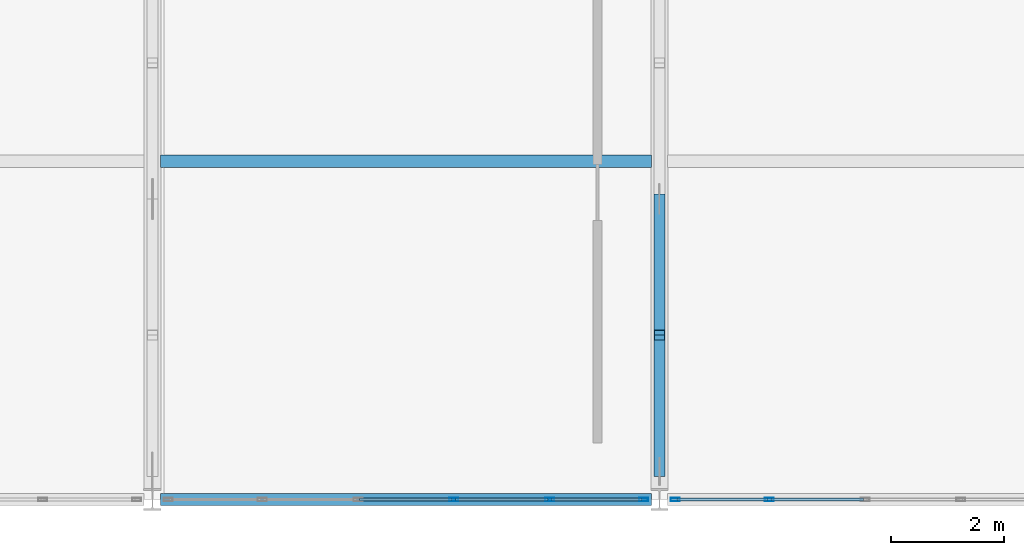
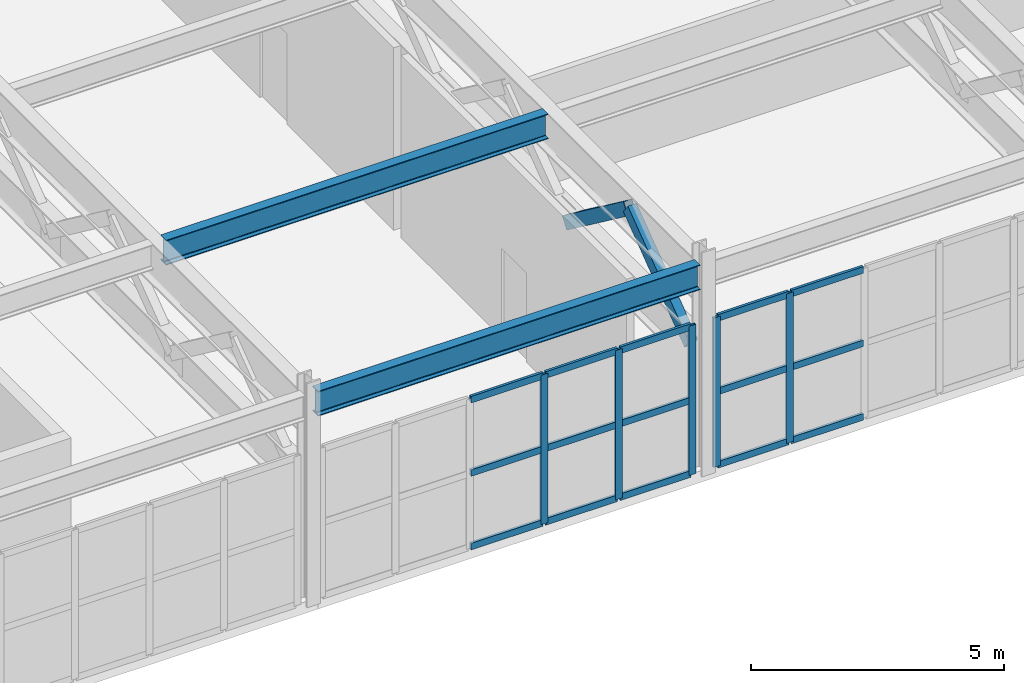
# One storey, part 36 of 210: 22 members, 2 beams, 2 elements without a shape of their own.
"""IFC4 building model written with IfcOpenShell, lengths in metres."""

from ifc_helpers import new_model, si_unit, direction, frame, origin, origin_2d, place, context, subcontext, project, spatial, hollow_rectangle, i_section, extrude, material, material_profile, profile_set, type_object, element, aggregate, save


model = new_model("IFC4")

# Units and contexts
model_context = context("Model", 3, precision=1e-05, world=origin(), true_north=direction((0.0, 1.0)))
body_context = subcontext(model_context, "Body", "Model", "MODEL_VIEW")
ifc_project = project(units=[si_unit("LENGTHUNIT", "METRE"), si_unit("AREAUNIT", "SQUARE_METRE"), si_unit("VOLUMEUNIT", "CUBIC_METRE"), si_unit("PLANEANGLEUNIT", "RADIAN"), si_unit("MASSUNIT", "GRAM", prefix="KILO")], contexts=[model_context])

# Site, building, storey
site_placement = place(None, origin())
site = spatial("IfcSite", under=ifc_project, at=site_placement, CompositionType="ELEMENT")
building_placement = place(site_placement, origin())
building = spatial("IfcBuilding", under=site, at=building_placement, Name="Kaldris Quays Convention Centre", CompositionType="ELEMENT")
storey_placement = place(building_placement, frame((0.0, 0.0, 6.0)))
storey = spatial("IfcBuildingStorey", under=building, at=storey_placement, Name="L01", CompositionType="ELEMENT", Elevation=6.0)

# Curtain wall, members
ifc_material_1 = material(Name="Anodized aluminium AW-6060 and triple glazing", Category="aluminium")
curtain_wall_type = type_object("IfcCurtainWallType", Name="UNITISED CURTAIN WALL CW05", PredefinedType="NOTDEFINED", material=ifc_material_1)
curtain_wall_1_placement = place(storey_placement, origin())
curtain_wall_1 = element("IfcCurtainWall", 1, at=curtain_wall_1_placement, inside=storey, type_object=curtain_wall_type, Name="L01 Unitised Curtain Wall CW05 65", PredefinedType="NOTDEFINED")
ifc_material_2 = material(Name="Anodized aluminium AW-6060", Category="aluminium")
ifc_material_profile_1 = material_profile(ifc_material_2, hollow_rectangle(XDim=0.06005859375, YDim=0.159912109375, WallThickness=0.00390625, at=origin_2d()), Name="RHS 160x60x4")
ifc_profile_set_1 = profile_set([ifc_material_profile_1], Name="Anodized aluminium AW-6060")
member_type_1 = type_object("IfcMemberType", Name="CURTAIN MULLION CWM1", PredefinedType="MULLION", material=ifc_profile_set_1)
member_1_placement = place(storey_placement, frame((52.35009765625, 16.0, 0.0), z_axis=(0.0, 0.0, 1.0), x_axis=(0.0, 1.0, 0.0)))
member_1 = element("IfcMember", 2, at=member_1_placement, type_object=member_type_1, Name="CW05 mullion 4", PredefinedType="MULLION", context=body_context, shape_type="SweptSolid", body=[
    extrude(hollow_rectangle(XDim=0.06005859375, YDim=0.159912109375, WallThickness=0.00390625, at=origin_2d()), origin(), (0.0, 0.0, 1.0), 3.60009765625),
])
member_2_placement = place(storey_placement, frame((54.050048828125, 16.0, 0.0), z_axis=(0.0, 0.0, 1.0), x_axis=(0.0, 1.0, 0.0)))
member_2 = element("IfcMember", 3, at=member_2_placement, type_object=member_type_1, Name="CW05 mullion 5", PredefinedType="MULLION", context=body_context, shape_type="SweptSolid", body=[
    extrude(hollow_rectangle(XDim=0.06005859375, YDim=0.159912109375, WallThickness=0.00390625, at=origin_2d()), origin(), (0.0, 0.0, 1.0), 3.60009765625),
])
member_3_placement = place(storey_placement, frame((55.719970703125, 16.0, 0.0), z_axis=(0.0, 0.0, 1.0), x_axis=(0.0, 1.0, 0.0)))
member_3 = element("IfcMember", 4, at=member_3_placement, type_object=member_type_1, Name="CW05 mullion 6", PredefinedType="MULLION", context=body_context, shape_type="SweptSolid", body=[
    extrude(hollow_rectangle(XDim=0.06005859375, YDim=0.159912109375, WallThickness=0.00390625, at=origin_2d()), origin(), (0.0, 0.0, 1.0), 3.60009765625),
])

curtain_wall_2_placement = place(storey_placement, origin())
curtain_wall_2 = element("IfcCurtainWall", 5, at=curtain_wall_2_placement, inside=storey, type_object=curtain_wall_type, Name="L01 Unitised Curtain Wall CW05 67", PredefinedType="NOTDEFINED")
member_4_placement = place(storey_placement, frame((56.280029296875, 16.0, 0.0), z_axis=(0.0, 0.0, 1.0), x_axis=(0.0, 1.0, 0.0)))
member_4 = element("IfcMember", 6, at=member_4_placement, type_object=member_type_1, Name="CW05 mullion 1", PredefinedType="MULLION", context=body_context, shape_type="SweptSolid", body=[
    extrude(hollow_rectangle(XDim=0.06005859375, YDim=0.159912109375, WallThickness=0.00390625, at=origin_2d()), origin(), (0.0, 0.0, 1.0), 3.60009765625),
])
member_5_placement = place(storey_placement, frame((57.949951171875, 16.0, 0.0), z_axis=(0.0, 0.0, 1.0), x_axis=(0.0, 1.0, 0.0)))
member_5 = element("IfcMember", 7, at=member_5_placement, type_object=member_type_1, Name="CW05 mullion 2", PredefinedType="MULLION", context=body_context, shape_type="SweptSolid", body=[
    extrude(hollow_rectangle(XDim=0.06005859375, YDim=0.159912109375, WallThickness=0.00390625, at=origin_2d()), origin(), (0.0, 0.0, 1.0), 3.60009765625),
])

# Member
ifc_material_profile_2 = material_profile(ifc_material_2, hollow_rectangle(XDim=0.06005859375, YDim=0.159912109375, WallThickness=0.00390625, at=origin_2d()), Name="RHS 160x60x4")
ifc_profile_set_2 = profile_set([ifc_material_profile_2], Name="Anodized aluminium AW-6060")
member_type_2 = type_object("IfcMemberType", Name="CURTAIN TRANSOM CWT2", PredefinedType="USERDEFINED", material=ifc_profile_set_2)
member_6_placement = place(storey_placement, frame((50.679931640625, 16.0, 0.030029296875), z_axis=(1.0, 0.0, 0.0), x_axis=(0.0, 1.0, 0.0)))
member_6 = element("IfcMember", 8, at=member_6_placement, type_object=member_type_2, Name="CW05 transom 3.1", ObjectType="TRANSOM", PredefinedType="USERDEFINED", context=body_context, shape_type="SweptSolid", body=[
    extrude(hollow_rectangle(XDim=0.06005859375, YDim=0.159912109375, WallThickness=0.00390625, at=origin_2d()), origin(), (0.0, 0.0, 1.0), 1.64013671875),
])

member_7_placement = place(storey_placement, frame((50.679931640625, 16.0, 1.800048828125), z_axis=(1.0, 0.0, 0.0), x_axis=(0.0, 1.0, 0.0)))
member_7 = element("IfcMember", 9, at=member_7_placement, type_object=member_type_2, Name="CW05 transom 3.2", ObjectType="TRANSOM", PredefinedType="USERDEFINED", context=body_context, shape_type="SweptSolid", body=[
    extrude(hollow_rectangle(XDim=0.06005859375, YDim=0.159912109375, WallThickness=0.00390625, at=origin_2d()), origin(), (0.0, 0.0, 1.0), 1.64013671875),
])

member_8_placement = place(storey_placement, frame((50.679931640625, 16.0, 3.570068359375), z_axis=(1.0, 0.0, 0.0), x_axis=(0.0, 1.0, 0.0)))
member_8 = element("IfcMember", 10, at=member_8_placement, type_object=member_type_2, Name="CW05 transom 3.3", ObjectType="TRANSOM", PredefinedType="USERDEFINED", context=body_context, shape_type="SweptSolid", body=[
    extrude(hollow_rectangle(XDim=0.06005859375, YDim=0.159912109375, WallThickness=0.00390625, at=origin_2d()), origin(), (0.0, 0.0, 1.0), 1.64013671875),
])

member_9_placement = place(storey_placement, frame((52.3798828125, 16.0, 0.030029296875), z_axis=(1.0, 0.0, 0.0), x_axis=(0.0, 1.0, 0.0)))
member_9 = element("IfcMember", 11, at=member_9_placement, type_object=member_type_2, Name="CW05 transom 4.1", ObjectType="TRANSOM", PredefinedType="USERDEFINED", context=body_context, shape_type="SweptSolid", body=[
    extrude(hollow_rectangle(XDim=0.06005859375, YDim=0.159912109375, WallThickness=0.00390625, at=origin_2d()), origin(), (0.0, 0.0, 1.0), 1.64013671875),
])

member_10_placement = place(storey_placement, frame((52.3798828125, 16.0, 1.800048828125), z_axis=(1.0, 0.0, 0.0), x_axis=(0.0, 1.0, 0.0)))
member_10 = element("IfcMember", 12, at=member_10_placement, type_object=member_type_2, Name="CW05 transom 4.2", ObjectType="TRANSOM", PredefinedType="USERDEFINED", context=body_context, shape_type="SweptSolid", body=[
    extrude(hollow_rectangle(XDim=0.06005859375, YDim=0.159912109375, WallThickness=0.00390625, at=origin_2d()), origin(), (0.0, 0.0, 1.0), 1.64013671875),
])

member_11_placement = place(storey_placement, frame((52.3798828125, 16.0, 3.570068359375), z_axis=(1.0, 0.0, 0.0), x_axis=(0.0, 1.0, 0.0)))
member_11 = element("IfcMember", 13, at=member_11_placement, type_object=member_type_2, Name="CW05 transom 4.3", ObjectType="TRANSOM", PredefinedType="USERDEFINED", context=body_context, shape_type="SweptSolid", body=[
    extrude(hollow_rectangle(XDim=0.06005859375, YDim=0.159912109375, WallThickness=0.00390625, at=origin_2d()), origin(), (0.0, 0.0, 1.0), 1.64013671875),
])

member_12_placement = place(storey_placement, frame((54.080078125, 16.0, 0.030029296875), z_axis=(1.0, 0.0, 0.0), x_axis=(0.0, 1.0, 0.0)))
member_12 = element("IfcMember", 14, at=member_12_placement, type_object=member_type_2, Name="CW05 transom 5.1", ObjectType="TRANSOM", PredefinedType="USERDEFINED", context=body_context, shape_type="SweptSolid", body=[
    extrude(hollow_rectangle(XDim=0.06005859375, YDim=0.159912109375, WallThickness=0.00390625, at=origin_2d()), origin(), (0.0, 0.0, 1.0), 1.60986328125),
])

member_13_placement = place(storey_placement, frame((54.080078125, 16.0, 1.800048828125), z_axis=(1.0, 0.0, 0.0), x_axis=(0.0, 1.0, 0.0)))
member_13 = element("IfcMember", 15, at=member_13_placement, type_object=member_type_2, Name="CW05 transom 5.2", ObjectType="TRANSOM", PredefinedType="USERDEFINED", context=body_context, shape_type="SweptSolid", body=[
    extrude(hollow_rectangle(XDim=0.06005859375, YDim=0.159912109375, WallThickness=0.00390625, at=origin_2d()), origin(), (0.0, 0.0, 1.0), 1.60986328125),
])

member_14_placement = place(storey_placement, frame((54.080078125, 16.0, 3.570068359375), z_axis=(1.0, 0.0, 0.0), x_axis=(0.0, 1.0, 0.0)))
member_14 = element("IfcMember", 16, at=member_14_placement, type_object=member_type_2, Name="CW05 transom 5.3", ObjectType="TRANSOM", PredefinedType="USERDEFINED", context=body_context, shape_type="SweptSolid", body=[
    extrude(hollow_rectangle(XDim=0.06005859375, YDim=0.159912109375, WallThickness=0.00390625, at=origin_2d()), origin(), (0.0, 0.0, 1.0), 1.60986328125),
])

aggregate(curtain_wall_1, [member_1, member_2, member_3, member_6, member_7, member_8, member_9, member_10, member_11, member_12, member_13, member_14])

member_15_placement = place(storey_placement, frame((56.31005859375, 16.0, 0.030029296875), z_axis=(1.0, 0.0, 0.0), x_axis=(0.0, 1.0, 0.0)))
member_15 = element("IfcMember", 17, at=member_15_placement, type_object=member_type_2, Name="CW05 transom 1.1", ObjectType="TRANSOM", PredefinedType="USERDEFINED", context=body_context, shape_type="SweptSolid", body=[
    extrude(hollow_rectangle(XDim=0.06005859375, YDim=0.159912109375, WallThickness=0.00390625, at=origin_2d()), origin(), (0.0, 0.0, 1.0), 1.60986328125),
])

member_16_placement = place(storey_placement, frame((56.31005859375, 16.0, 1.800048828125), z_axis=(1.0, 0.0, 0.0), x_axis=(0.0, 1.0, 0.0)))
member_16 = element("IfcMember", 18, at=member_16_placement, type_object=member_type_2, Name="CW05 transom 1.2", ObjectType="TRANSOM", PredefinedType="USERDEFINED", context=body_context, shape_type="SweptSolid", body=[
    extrude(hollow_rectangle(XDim=0.06005859375, YDim=0.159912109375, WallThickness=0.00390625, at=origin_2d()), origin(), (0.0, 0.0, 1.0), 1.60986328125),
])

member_17_placement = place(storey_placement, frame((56.31005859375, 16.0, 3.570068359375), z_axis=(1.0, 0.0, 0.0), x_axis=(0.0, 1.0, 0.0)))
member_17 = element("IfcMember", 19, at=member_17_placement, type_object=member_type_2, Name="CW05 transom 1.3", ObjectType="TRANSOM", PredefinedType="USERDEFINED", context=body_context, shape_type="SweptSolid", body=[
    extrude(hollow_rectangle(XDim=0.06005859375, YDim=0.159912109375, WallThickness=0.00390625, at=origin_2d()), origin(), (0.0, 0.0, 1.0), 1.60986328125),
])

member_18_placement = place(storey_placement, frame((57.97998046875, 16.0, 0.030029296875), z_axis=(1.0, 0.0, 0.0), x_axis=(0.0, 1.0, 0.0)))
member_18 = element("IfcMember", 20, at=member_18_placement, type_object=member_type_2, Name="CW05 transom 2.1", ObjectType="TRANSOM", PredefinedType="USERDEFINED", context=body_context, shape_type="SweptSolid", body=[
    extrude(hollow_rectangle(XDim=0.06005859375, YDim=0.159912109375, WallThickness=0.00390625, at=origin_2d()), origin(), (0.0, 0.0, 1.0), 1.64013671875),
])

member_19_placement = place(storey_placement, frame((57.97998046875, 16.0, 1.800048828125), z_axis=(1.0, 0.0, 0.0), x_axis=(0.0, 1.0, 0.0)))
member_19 = element("IfcMember", 21, at=member_19_placement, type_object=member_type_2, Name="CW05 transom 2.2", ObjectType="TRANSOM", PredefinedType="USERDEFINED", context=body_context, shape_type="SweptSolid", body=[
    extrude(hollow_rectangle(XDim=0.06005859375, YDim=0.159912109375, WallThickness=0.00390625, at=origin_2d()), origin(), (0.0, 0.0, 1.0), 1.64013671875),
])

member_20_placement = place(storey_placement, frame((57.97998046875, 16.0, 3.570068359375), z_axis=(1.0, 0.0, 0.0), x_axis=(0.0, 1.0, 0.0)))
member_20 = element("IfcMember", 22, at=member_20_placement, type_object=member_type_2, Name="CW05 transom 2.3", ObjectType="TRANSOM", PredefinedType="USERDEFINED", context=body_context, shape_type="SweptSolid", body=[
    extrude(hollow_rectangle(XDim=0.06005859375, YDim=0.159912109375, WallThickness=0.00390625, at=origin_2d()), origin(), (0.0, 0.0, 1.0), 1.64013671875),
])

aggregate(curtain_wall_2, [member_4, member_5, member_15, member_16, member_17, member_18, member_19, member_20])

# Beams
ifc_material_3 = material(Name="Steel S355J2", Category="steel")
ifc_material_profile_3 = material_profile(ifc_material_3, i_section(OverallWidth=0.219970703125, OverallDepth=0.60009765625, WebThickness=0.011962890625, FlangeThickness=0.01904296875, FilletRadius=0.02392578125, at=origin_2d()), Name="IPE 600")
ifc_profile_set_3 = profile_set([ifc_material_profile_3], Name="Steel S355J2")
beam_type = type_object("IfcBeamType", Name="STRUCTURAL BEAM BM10", PredefinedType="BEAM", material=ifc_profile_set_3)
for number, where, z_axis, x_axis, name in (
    (23, (47.14501953125, 16.0, 4.758056640625), (1.0, 0.0, 0.0), (0.0, 1.0, 0.0), "L01 Ballroom Tie Beam BM10"),
    (24, (47.14501953125, 22.0, 4.758056640625), (1.0, 0.0, 0.0), (0.0, 1.0, 0.0), "L01 Ballroom Tie Beam BM10"),
):
    element("IfcBeam", number, at=place(storey_placement, frame(where, z_axis=z_axis, x_axis=x_axis)), inside=storey, type_object=beam_type, Name=name, PredefinedType="BEAM", context=body_context, shape_type="SweptSolid", body=[
        extrude(i_section(OverallWidth=0.219970703125, OverallDepth=0.60009765625, WebThickness=0.011962890625, FlangeThickness=0.01904296875, FilletRadius=0.02392578125, at=origin_2d()), origin(), (0.0, 0.0, 1.0), 8.7099609375),
    ])

# Members
ifc_material_4 = material(Name="Steel S355J2H", Category="steel")
ifc_material_profile_4 = material_profile(ifc_material_4, hollow_rectangle(XDim=0.199951171875, YDim=0.300048828125, WallThickness=0.012451171875, at=origin_2d()), Name="RHS 300x200x12.5")
ifc_profile_set_4 = profile_set([ifc_material_profile_4], Name="Steel S355J2H")
member_type_3 = type_object("IfcMemberType", Name="STRUCTURAL MEMBER TTD1", PredefinedType="BRACE", material=ifc_profile_set_4)
member_21_placement = place(storey_placement, frame((56.0, 16.5, 2.75), z_axis=(0.0, 0.800708018983, 0.599054812464), x_axis=(-1.0, 0.0, 0.0)))
element("IfcMember", 25, at=member_21_placement, inside=storey, type_object=member_type_3, Name="Transfer Truss TT05 Diagonal 1", PredefinedType="BRACE", context=body_context, shape_type="SweptSolid", body=[
    extrude(hollow_rectangle(XDim=0.199951171875, YDim=0.300048828125, WallThickness=0.012451171875, at=origin_2d()), origin(), (0.0, 0.0, 1.0), 3.018310546875),
])
member_22_placement = place(storey_placement, frame((56.0, 21.333251953125, 2.75), z_axis=(0.0, -0.800678988238, 0.599093613548), x_axis=(1.0, 0.0, 0.0)))
element("IfcMember", 26, at=member_22_placement, inside=storey, type_object=member_type_3, Name="Transfer Truss TT05 Diagonal 2", PredefinedType="BRACE", context=body_context, shape_type="SweptSolid", body=[
    extrude(hollow_rectangle(XDim=0.199951171875, YDim=0.300048828125, WallThickness=0.012451171875, at=origin_2d()), origin(), (0.0, 0.0, 1.0), 3.01806640625),
])

save(model, "model.ifc")
